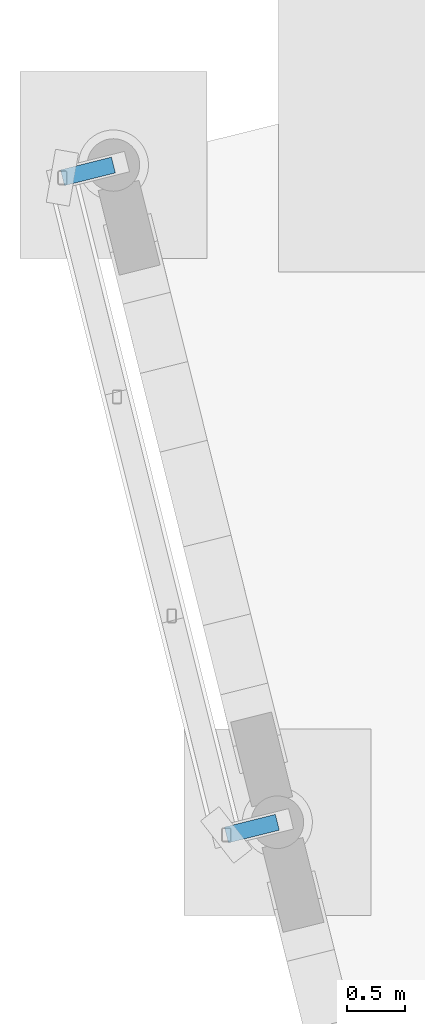
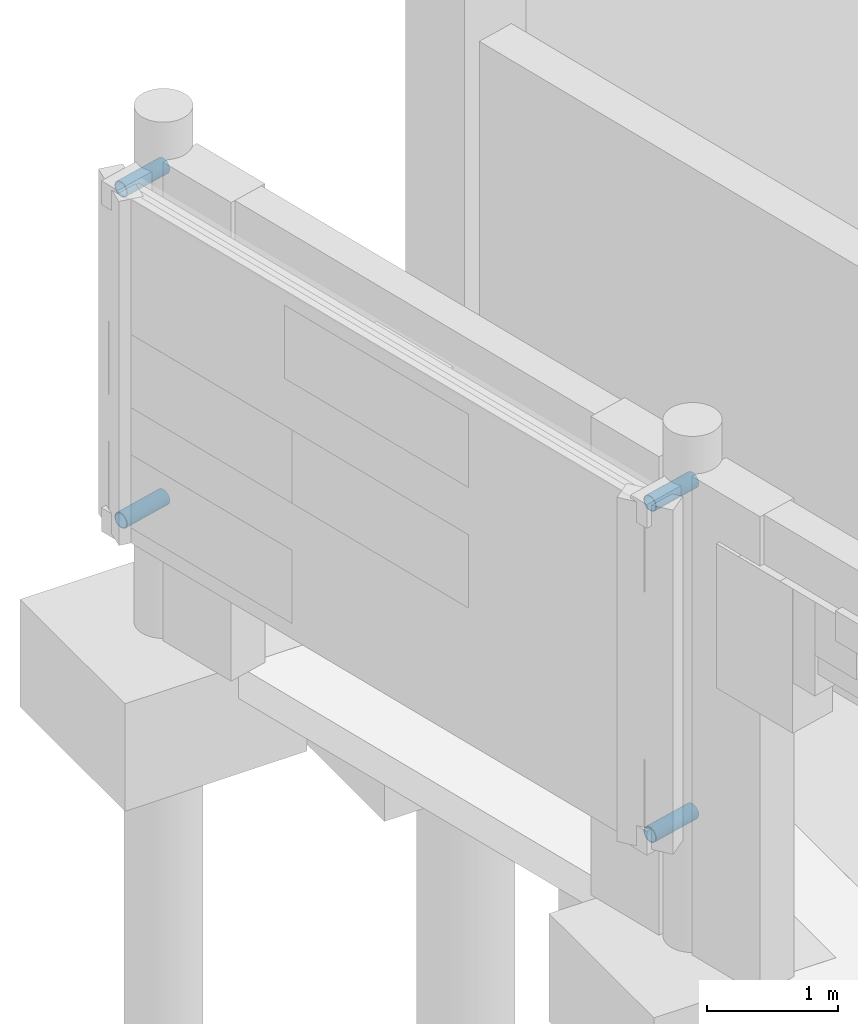
# One storey, part 30 of 72: 4 members.
"""IFC4 building model written with IfcOpenShell, lengths in metres."""

from ifc_helpers import new_model, si_unit, direction, frame, origin, origin_2d, place, context, subcontext, project, spatial, hollow_circle, extrude, material, material_profile, profile_set, type_object, element, save


model = new_model("IFC4")

# Units and contexts
model_context = context("Model", 3, precision=1e-05, world=origin(), true_north=direction((0.0, 1.0)))
body_context = subcontext(model_context, "Body", "Model", "MODEL_VIEW")
ifc_project = project(units=[si_unit("LENGTHUNIT", "METRE"), si_unit("AREAUNIT", "SQUARE_METRE"), si_unit("VOLUMEUNIT", "CUBIC_METRE"), si_unit("PLANEANGLEUNIT", "RADIAN"), si_unit("MASSUNIT", "GRAM", prefix="KILO")], contexts=[model_context])

# Site, building, storey
site_placement = place(None, origin())
site = spatial("IfcSite", under=ifc_project, at=site_placement, CompositionType="ELEMENT")
building_placement = place(site_placement, origin())
building = spatial("IfcBuilding", under=site, at=building_placement, Name="Cinderway Yard Community Centre", CompositionType="ELEMENT")
storey_placement = place(building_placement, origin())
storey = spatial("IfcBuildingStorey", under=building, at=storey_placement, Name="L00", CompositionType="ELEMENT", Elevation=0.0)

# Members
ifc_material = material(Name="Steel S355", Category="steel")
ifc_material_profile = material_profile(ifc_material, hollow_circle(Radius=0.06982421875, WallThickness=0.00634765625, at=origin_2d()), Name="Steel S355")
ifc_profile_set = profile_set([ifc_material_profile], Name="Steel S355")
member_type = type_object("IfcMemberType", Name="STR-MEM-STRUT-CHS140", PredefinedType="STRUT", material=ifc_profile_set)
for number, where, z_axis, x_axis, name in (
    (1, (8.285888671875, 58.10888671875, 1.159912109375), (-0.970301811202, -0.241897488986, 0.0), (0.241897488986, -0.970301811202, 0.0), "Screen outrigger strut 0681"),
    (2, (8.285888671875, 58.10888671875, 4.239990234375), (-0.970301811202, -0.241897488986, 0.0), (0.241897488986, -0.970301811202, 0.0), "Screen outrigger strut 0682"),
):
    element("IfcMember", number, at=place(storey_placement, frame(where, z_axis=z_axis, x_axis=x_axis)), inside=storey, type_object=member_type, Name=name, PredefinedType="STRUT", context=body_context, shape_type="SweptSolid", body=[
        extrude(hollow_circle(Radius=0.06982421875, WallThickness=0.00634765625, at=origin_2d()), origin(), (0.0, 0.0, 1.0), 0.4501953125),
    ])
for number, where, z_axis, x_axis, name in (
    (3, (6.882080078125, 63.737060546875, 1.159912109375), (-0.970206233045, -0.242280550934, 0.0), (0.242280550934, -0.970206233045, 0.0), "Screen outrigger strut 0685"),
    (4, (6.882080078125, 63.737060546875, 4.239990234375), (-0.970206233045, -0.242280550934, 0.0), (0.242280550934, -0.970206233045, 0.0), "Screen outrigger strut 0686"),
):
    element("IfcMember", number, at=place(storey_placement, frame(where, z_axis=z_axis, x_axis=x_axis)), inside=storey, type_object=member_type, Name=name, PredefinedType="STRUT", context=body_context, shape_type="SweptSolid", body=[
        extrude(hollow_circle(Radius=0.06982421875, WallThickness=0.00634765625, at=origin_2d()), origin(), (0.0, 0.0, 1.0), 0.450439453125),
    ])

save(model, "model.ifc")
